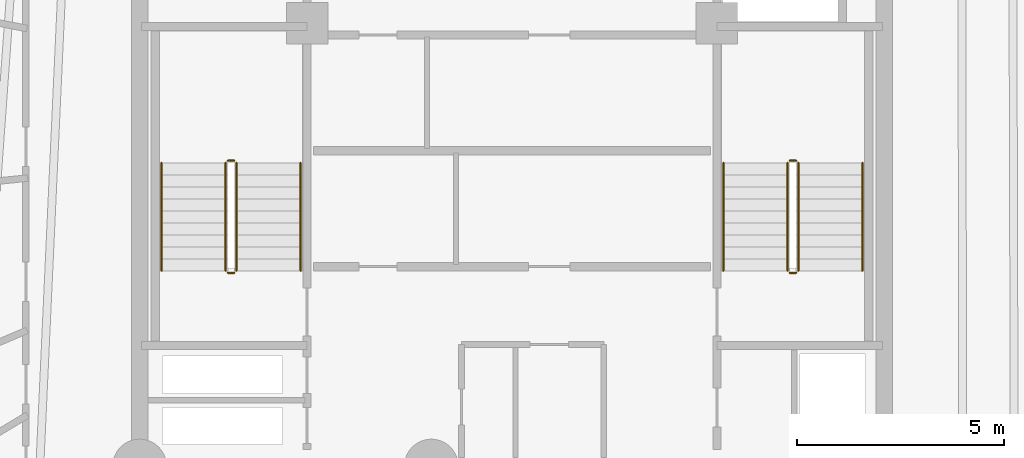
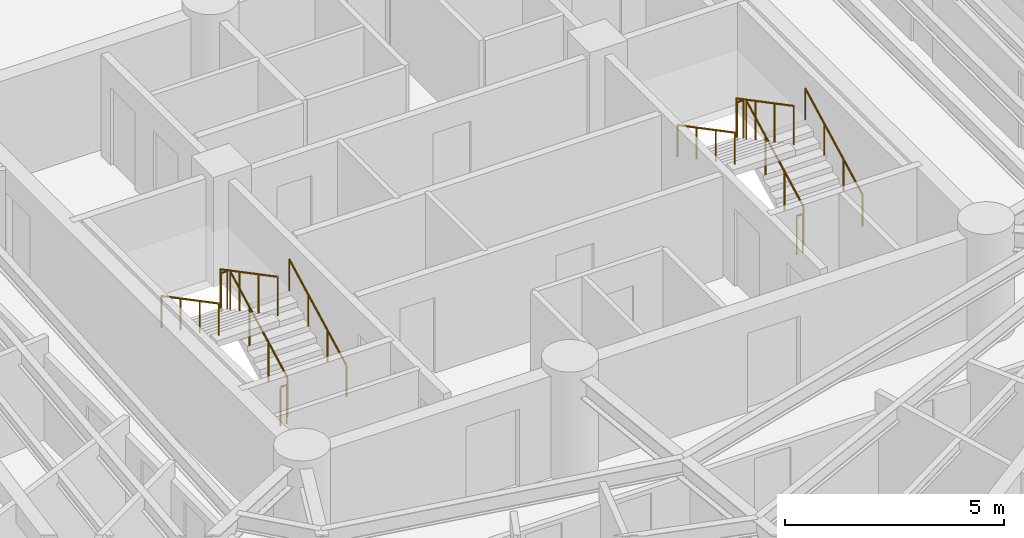
# One storey, part 7 of 7: 12 railings.
"""IFC4 building model written with IfcOpenShell, lengths in metres."""

from ifc_helpers import new_model, si_unit, direction, frame, origin, origin_2d, place, context, subcontext, project, spatial, circle, extrude, material, layer, layer_set, type_object, element, save


model = new_model("IFC4")

# Units and contexts
model_context = context("Model", 3, precision=1e-05, world=origin(), true_north=direction((0.0, 1.0)))
body_context = subcontext(model_context, "Body", "Model", "MODEL_VIEW")
ifc_project = project(units=[si_unit("LENGTHUNIT", "METRE"), si_unit("AREAUNIT", "SQUARE_METRE"), si_unit("VOLUMEUNIT", "CUBIC_METRE"), si_unit("PLANEANGLEUNIT", "RADIAN"), si_unit("MASSUNIT", "GRAM", prefix="KILO")], contexts=[model_context])

# Site, building, storey
site_placement = place(None, origin())
site = spatial("IfcSite", under=ifc_project, at=site_placement, CompositionType="ELEMENT")
building_placement = place(site_placement, origin())
building = spatial("IfcBuilding", under=site, at=building_placement, Name="Karkom Vertical University and Central Library", CompositionType="ELEMENT")
storey_placement = place(building_placement, frame((0.0, 0.0, 199.25)))
storey = spatial("IfcBuildingStorey", under=building, at=storey_placement, Name="L58", CompositionType="ELEMENT", Elevation=199.25)

# Railings
ifc_material_1 = material(Name="Painted galvanised steel balustrade", Category="steel")
ifc_layer_1 = layer(ifc_material_1, 0.06005859375)
ifc_layer_set_1 = layer_set([ifc_layer_1], Name="Painted galvanised steel balustrade")
railing_type_1 = type_object("IfcRailingType", Name="INT-RL-GUARD1100", PredefinedType="GUARDRAIL", material=ifc_layer_set_1)
railing_1_placement = place(storey_placement, frame((21.840087890625, 23.02001953125, 0.152587890625)))
element("IfcRailing", 1, at=railing_1_placement, inside=storey, type_object=railing_type_1, Name="Level 58 ST-1 stair guard 1", PredefinedType="GUARDRAIL", context=body_context, shape_type="SweptSolid", body=[
    extrude(circle(Radius=0.02392578125, at=origin_2d()), frame((0.0, 0.0, 1.076171875), z_axis=(0.0, 0.885099554253, 0.465401739426), x_axis=(-1.0, 0.0, 0.0)), (0.0, 0.0, 1.0), 2.94873046875),
    extrude(circle(Radius=0.02099609375, at=origin_2d()), origin(), (0.0, 0.0, 1.0), 1.052001953125),
    extrude(circle(Radius=0.02099609375, at=origin_2d()), frame((0.0, 0.869873046875, 0.45751953125)), (0.0, 0.0, 1.0), 1.052001953125),
    extrude(circle(Radius=0.02099609375, at=origin_2d()), frame((0.0, 1.739990234375, 0.914794921875)), (0.0, 0.0, 1.0), 1.052001953125),
    extrude(circle(Radius=0.02099609375, at=origin_2d()), frame((0.0, 2.60986328125, 1.372314453125)), (0.0, 0.0, 1.0), 1.052001953125),
])
railing_2_placement = place(storey_placement, frame((21.7900390625, 25.679931640625, 1.52490234375)))
element("IfcRailing", 2, at=railing_2_placement, inside=storey, type_object=railing_type_1, Name="Level 58 ST-1 stair guard 2", PredefinedType="GUARDRAIL", context=body_context, shape_type="SweptSolid", body=[
    extrude(circle(Radius=0.02392578125, at=origin_2d()), frame((0.0, 0.0, 1.076171875), z_axis=(-1.0, 0.0, 0.0), x_axis=(0.0, -1.0, 0.0)), (0.0, 0.0, 1.0), 0.16015625),
    extrude(circle(Radius=0.02099609375, at=origin_2d()), origin(), (0.0, 0.0, 1.0), 1.052001953125),
    extrude(circle(Radius=0.02099609375, at=origin_2d()), frame((-0.16015625, 0.0, 0.0)), (0.0, 0.0, 1.0), 1.052001953125),
])
railing_3_placement = place(storey_placement, frame((21.580078125, 25.6298828125, 1.677490234375)))
element("IfcRailing", 3, at=railing_3_placement, inside=storey, type_object=railing_type_1, Name="Level 58 ST-1 stair guard 3", PredefinedType="GUARDRAIL", context=body_context, shape_type="SweptSolid", body=[
    extrude(circle(Radius=0.02392578125, at=origin_2d()), frame((0.0, 0.0, 1.076171875), z_axis=(0.0, -0.885065446896, 0.46546659892), x_axis=(1.0, 0.0, 0.0)), (0.0, 0.0, 1.0), 2.94873046875),
    extrude(circle(Radius=0.02099609375, at=origin_2d()), origin(), (0.0, 0.0, 1.0), 1.052001953125),
    extrude(circle(Radius=0.02099609375, at=origin_2d()), frame((0.0, -0.869873046875, 0.45751953125)), (0.0, 0.0, 1.0), 1.052001953125),
    extrude(circle(Radius=0.02099609375, at=origin_2d()), frame((0.0, -1.739990234375, 0.9150390625)), (0.0, 0.0, 1.0), 1.052001953125),
    extrude(circle(Radius=0.02099609375, at=origin_2d()), frame((0.0, -2.60986328125, 1.37255859375)), (0.0, 0.0, 1.0), 1.052001953125),
])
railing_4_placement = place(storey_placement, frame((21.7900390625, 22.969970703125, 0.0)))
element("IfcRailing", 4, at=railing_4_placement, inside=storey, type_object=railing_type_1, Name="Level 58 ST-1 stair guard 4", PredefinedType="GUARDRAIL", context=body_context, shape_type="SweptSolid", body=[
    extrude(circle(Radius=0.02392578125, at=origin_2d()), frame((0.0, 0.0, 1.076171875), z_axis=(-1.0, 0.0, 0.0), x_axis=(0.0, -1.0, 0.0)), (0.0, 0.0, 1.0), 0.16015625),
    extrude(circle(Radius=0.02099609375, at=origin_2d()), origin(), (0.0, 0.0, 1.0), 1.052001953125),
    extrude(circle(Radius=0.02099609375, at=origin_2d()), frame((-0.16015625, 0.0, 0.0)), (0.0, 0.0, 1.0), 1.052001953125),
])
railing_5_placement = place(storey_placement, frame((35.419921875, 23.02001953125, 0.152587890625)))
element("IfcRailing", 5, at=railing_5_placement, inside=storey, type_object=railing_type_1, Name="Level 58 ST-2 stair guard 1", PredefinedType="GUARDRAIL", context=body_context, shape_type="SweptSolid", body=[
    extrude(circle(Radius=0.02392578125, at=origin_2d()), frame((0.0, 0.0, 1.076171875), z_axis=(0.0, 0.885099554253, 0.465401739426), x_axis=(-1.0, 0.0, 0.0)), (0.0, 0.0, 1.0), 2.94873046875),
    extrude(circle(Radius=0.02099609375, at=origin_2d()), origin(), (0.0, 0.0, 1.0), 1.052001953125),
    extrude(circle(Radius=0.02099609375, at=origin_2d()), frame((0.0, 0.869873046875, 0.45751953125)), (0.0, 0.0, 1.0), 1.052001953125),
    extrude(circle(Radius=0.02099609375, at=origin_2d()), frame((0.0, 1.739990234375, 0.914794921875)), (0.0, 0.0, 1.0), 1.052001953125),
    extrude(circle(Radius=0.02099609375, at=origin_2d()), frame((0.0, 2.60986328125, 1.372314453125)), (0.0, 0.0, 1.0), 1.052001953125),
])
railing_6_placement = place(storey_placement, frame((35.3701171875, 25.679931640625, 1.52490234375)))
element("IfcRailing", 6, at=railing_6_placement, inside=storey, type_object=railing_type_1, Name="Level 58 ST-2 stair guard 2", PredefinedType="GUARDRAIL", context=body_context, shape_type="SweptSolid", body=[
    extrude(circle(Radius=0.02392578125, at=origin_2d()), frame((0.0, 0.0, 1.076171875), z_axis=(-1.0, 0.0, 0.0), x_axis=(0.0, -1.0, 0.0)), (0.0, 0.0, 1.0), 0.16015625),
    extrude(circle(Radius=0.02099609375, at=origin_2d()), origin(), (0.0, 0.0, 1.0), 1.052001953125),
    extrude(circle(Radius=0.02099609375, at=origin_2d()), frame((-0.16015625, 0.0, 0.0)), (0.0, 0.0, 1.0), 1.052001953125),
])
railing_7_placement = place(storey_placement, frame((35.159912109375, 25.6298828125, 1.677490234375)))
element("IfcRailing", 7, at=railing_7_placement, inside=storey, type_object=railing_type_1, Name="Level 58 ST-2 stair guard 3", PredefinedType="GUARDRAIL", context=body_context, shape_type="SweptSolid", body=[
    extrude(circle(Radius=0.02392578125, at=origin_2d()), frame((0.0, 0.0, 1.076171875), z_axis=(0.0, -0.885065446896, 0.46546659892), x_axis=(1.0, 0.0, 0.0)), (0.0, 0.0, 1.0), 2.94873046875),
    extrude(circle(Radius=0.02099609375, at=origin_2d()), origin(), (0.0, 0.0, 1.0), 1.052001953125),
    extrude(circle(Radius=0.02099609375, at=origin_2d()), frame((0.0, -0.869873046875, 0.45751953125)), (0.0, 0.0, 1.0), 1.052001953125),
    extrude(circle(Radius=0.02099609375, at=origin_2d()), frame((0.0, -1.739990234375, 0.9150390625)), (0.0, 0.0, 1.0), 1.052001953125),
    extrude(circle(Radius=0.02099609375, at=origin_2d()), frame((0.0, -2.60986328125, 1.37255859375)), (0.0, 0.0, 1.0), 1.052001953125),
])
railing_8_placement = place(storey_placement, frame((35.3701171875, 22.969970703125, 0.0)))
element("IfcRailing", 8, at=railing_8_placement, inside=storey, type_object=railing_type_1, Name="Level 58 ST-2 stair guard 4", PredefinedType="GUARDRAIL", context=body_context, shape_type="SweptSolid", body=[
    extrude(circle(Radius=0.02392578125, at=origin_2d()), frame((0.0, 0.0, 1.076171875), z_axis=(-1.0, 0.0, 0.0), x_axis=(0.0, -1.0, 0.0)), (0.0, 0.0, 1.0), 0.16015625),
    extrude(circle(Radius=0.02099609375, at=origin_2d()), origin(), (0.0, 0.0, 1.0), 1.052001953125),
    extrude(circle(Radius=0.02099609375, at=origin_2d()), frame((-0.16015625, 0.0, 0.0)), (0.0, 0.0, 1.0), 1.052001953125),
])
ifc_material_2 = material(Name="Brushed stainless-steel tubular handrail", Category="steel")
ifc_layer_2 = layer(ifc_material_2, 0.048095703125)
ifc_layer_set_2 = layer_set([ifc_layer_2], Name="Brushed stainless-steel tubular handrail")
railing_type_2 = type_object("IfcRailingType", Name="INT-RL-HAND920", PredefinedType="HANDRAIL", material=ifc_layer_set_2)
railing_9_placement = place(storey_placement, frame((23.389892578125, 23.02001953125, 0.152587890625)))
element("IfcRailing", 9, at=railing_9_placement, inside=storey, type_object=railing_type_2, Name="Level 58 ST-1 stair handrail 1", PredefinedType="HANDRAIL", context=body_context, shape_type="SweptSolid", body=[
    extrude(circle(Radius=0.02392578125, at=origin_2d()), frame((0.0, 0.0, 0.8759765625), z_axis=(0.0, 0.885099554253, 0.465401739426), x_axis=(-1.0, 0.0, 0.0)), (0.0, 0.0, 1.0), 2.94873046875),
    extrude(circle(Radius=0.02099609375, at=origin_2d()), origin(), (0.0, 0.0, 1.0), 0.851806640625),
    extrude(circle(Radius=0.02099609375, at=origin_2d()), frame((0.0, 0.869873046875, 0.45751953125)), (0.0, 0.0, 1.0), 0.851806640625),
    extrude(circle(Radius=0.02099609375, at=origin_2d()), frame((0.0, 1.739990234375, 0.914794921875)), (0.0, 0.0, 1.0), 0.851806640625),
    extrude(circle(Radius=0.02099609375, at=origin_2d()), frame((0.0, 2.60986328125, 1.372314453125)), (0.0, 0.0, 1.0), 0.851806640625),
])
railing_10_placement = place(storey_placement, frame((20.030029296875, 25.6298828125, 1.677490234375)))
element("IfcRailing", 10, at=railing_10_placement, inside=storey, type_object=railing_type_2, Name="Level 58 ST-1 stair handrail 2", PredefinedType="HANDRAIL", context=body_context, shape_type="SweptSolid", body=[
    extrude(circle(Radius=0.02392578125, at=origin_2d()), frame((0.0, 0.0, 0.8759765625), z_axis=(0.0, -0.885065446896, 0.46546659892), x_axis=(1.0, 0.0, 0.0)), (0.0, 0.0, 1.0), 2.94873046875),
    extrude(circle(Radius=0.02099609375, at=origin_2d()), origin(), (0.0, 0.0, 1.0), 0.851806640625),
    extrude(circle(Radius=0.02099609375, at=origin_2d()), frame((0.0, -0.869873046875, 0.45751953125)), (0.0, 0.0, 1.0), 0.851806640625),
    extrude(circle(Radius=0.02099609375, at=origin_2d()), frame((0.0, -1.739990234375, 0.9150390625)), (0.0, 0.0, 1.0), 0.851806640625),
    extrude(circle(Radius=0.02099609375, at=origin_2d()), frame((0.0, -2.60986328125, 1.37255859375)), (0.0, 0.0, 1.0), 0.851806640625),
])
railing_11_placement = place(storey_placement, frame((36.969970703125, 23.02001953125, 0.152587890625)))
element("IfcRailing", 11, at=railing_11_placement, inside=storey, type_object=railing_type_2, Name="Level 58 ST-2 stair handrail 1", PredefinedType="HANDRAIL", context=body_context, shape_type="SweptSolid", body=[
    extrude(circle(Radius=0.02392578125, at=origin_2d()), frame((0.0, 0.0, 0.8759765625), z_axis=(0.0, 0.885099554253, 0.465401739426), x_axis=(-1.0, 0.0, 0.0)), (0.0, 0.0, 1.0), 2.94873046875),
    extrude(circle(Radius=0.02099609375, at=origin_2d()), origin(), (0.0, 0.0, 1.0), 0.851806640625),
    extrude(circle(Radius=0.02099609375, at=origin_2d()), frame((0.0, 0.869873046875, 0.45751953125)), (0.0, 0.0, 1.0), 0.851806640625),
    extrude(circle(Radius=0.02099609375, at=origin_2d()), frame((0.0, 1.739990234375, 0.914794921875)), (0.0, 0.0, 1.0), 0.851806640625),
    extrude(circle(Radius=0.02099609375, at=origin_2d()), frame((0.0, 2.60986328125, 1.372314453125)), (0.0, 0.0, 1.0), 0.851806640625),
])
railing_12_placement = place(storey_placement, frame((33.610107421875, 25.6298828125, 1.677490234375)))
element("IfcRailing", 12, at=railing_12_placement, inside=storey, type_object=railing_type_2, Name="Level 58 ST-2 stair handrail 2", PredefinedType="HANDRAIL", context=body_context, shape_type="SweptSolid", body=[
    extrude(circle(Radius=0.02392578125, at=origin_2d()), frame((0.0, 0.0, 0.8759765625), z_axis=(0.0, -0.885065446896, 0.46546659892), x_axis=(1.0, 0.0, 0.0)), (0.0, 0.0, 1.0), 2.94873046875),
    extrude(circle(Radius=0.02099609375, at=origin_2d()), origin(), (0.0, 0.0, 1.0), 0.851806640625),
    extrude(circle(Radius=0.02099609375, at=origin_2d()), frame((0.0, -0.869873046875, 0.45751953125)), (0.0, 0.0, 1.0), 0.851806640625),
    extrude(circle(Radius=0.02099609375, at=origin_2d()), frame((0.0, -1.739990234375, 0.9150390625)), (0.0, 0.0, 1.0), 0.851806640625),
    extrude(circle(Radius=0.02099609375, at=origin_2d()), frame((0.0, -2.60986328125, 1.37255859375)), (0.0, 0.0, 1.0), 0.851806640625),
])

save(model, "model.ifc")
